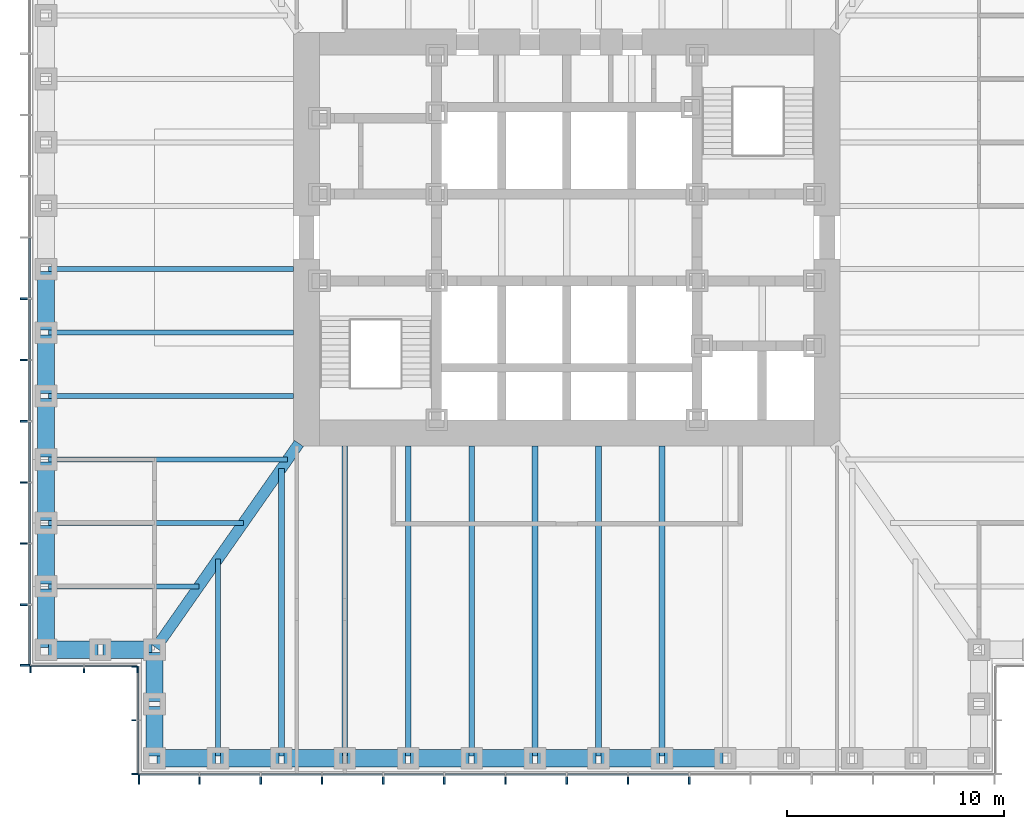
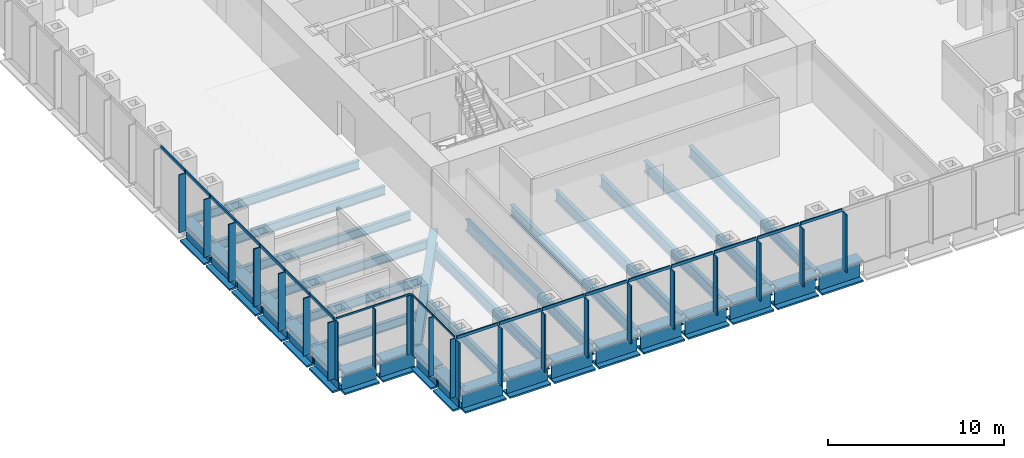
# One storey, part 2 of 16: 43 members, 34 beams, 4 elements without a shape of their own.
"""IFC4 building model written with IfcOpenShell, lengths in metres."""

from ifc_helpers import new_model, si_unit, direction, frame, origin, origin_2d, place, context, subcontext, project, spatial, rectangle, i_section, extrude, material, material_profile, profile_set, type_object, element, aggregate, save


model = new_model("IFC4")

# Units and contexts
model_context = context("Model", 3, precision=1e-05, world=origin(), true_north=direction((0.0, 1.0)))
body_context = subcontext(model_context, "Body", "Model", "MODEL_VIEW")
ifc_project = project(units=[si_unit("LENGTHUNIT", "METRE"), si_unit("AREAUNIT", "SQUARE_METRE"), si_unit("VOLUMEUNIT", "CUBIC_METRE"), si_unit("PLANEANGLEUNIT", "RADIAN"), si_unit("MASSUNIT", "GRAM", prefix="KILO")], contexts=[model_context])

# Site, building, storey
site_placement = place(None, origin())
site = spatial("IfcSite", under=ifc_project, at=site_placement, CompositionType="ELEMENT")
building_placement = place(site_placement, origin())
building = spatial("IfcBuilding", under=site, at=building_placement, Name="Daluyong Arena Tower", CompositionType="ELEMENT")
storey_placement = place(building_placement, frame((0.0, 0.0, 51.699951171875)))
storey = spatial("IfcBuildingStorey", under=building, at=storey_placement, Name="L10", CompositionType="ELEMENT", Elevation=51.699951171875)

# Curtain wall, members
ifc_material_1 = material(Name="Bronze anodised aluminium and glass", Category="aluminium")
curtain_wall_type_1 = type_object("IfcCurtainWallType", Name="Curtain wall CW1", PredefinedType="USERDEFINED", material=ifc_material_1)
curtain_wall_1_placement = place(storey_placement, origin())
curtain_wall_1 = element("IfcCurtainWall", 1, at=curtain_wall_1_placement, inside=storey, type_object=curtain_wall_type_1, Name="curtain wall L10 S", ObjectType="UNITISED CURTAIN WALL", PredefinedType="USERDEFINED")
ifc_material_2 = material(Name="Bronze anodised aluminium fin", Category="aluminium")
ifc_material_profile_1 = material_profile(ifc_material_2, rectangle(XDim=0.449951171875, YDim=0.080078125, at=origin_2d()))
ifc_profile_set_1 = profile_set([ifc_material_profile_1], Name="Bronze anodised aluminium fin")
member_type_1 = type_object("IfcMemberType", Name="CW1 bronze fin 450x80", PredefinedType="MULLION", material=ifc_profile_set_1)
member_1_placement = place(storey_placement, frame((36.2900390625, 55.02490234375, 0.0), z_axis=(0.0, 0.0, 1.0), x_axis=(0.0, 1.0, 0.0)))
member_1 = element("IfcMember", 2, at=member_1_placement, type_object=member_type_1, Name="curtain wall L10 S fin 1", PredefinedType="MULLION", context=body_context, shape_type="SweptSolid", body=[
    extrude(rectangle(XDim=0.449951171875, YDim=0.080078125, at=origin_2d()), origin(), (0.0, 0.0, 1.0), 4.0),
])
member_2_placement = place(storey_placement, frame((39.071533203125, 55.02490234375, 0.0), z_axis=(0.0, 0.0, 1.0), x_axis=(0.0, 1.0, 0.0)))
member_2 = element("IfcMember", 3, at=member_2_placement, type_object=member_type_1, Name="curtain wall L10 S fin 2", PredefinedType="MULLION", context=body_context, shape_type="SweptSolid", body=[
    extrude(rectangle(XDim=0.449951171875, YDim=0.080078125, at=origin_2d()), origin(), (0.0, 0.0, 1.0), 4.0),
])
member_3_placement = place(storey_placement, frame((41.892822265625, 55.02490234375, 0.0), z_axis=(0.0, 0.0, 1.0), x_axis=(0.0, 1.0, 0.0)))
member_3 = element("IfcMember", 4, at=member_3_placement, type_object=member_type_1, Name="curtain wall L10 S fin 3", PredefinedType="MULLION", context=body_context, shape_type="SweptSolid", body=[
    extrude(rectangle(XDim=0.449951171875, YDim=0.080078125, at=origin_2d()), origin(), (0.0, 0.0, 1.0), 4.0),
])
member_4_placement = place(storey_placement, frame((44.71435546875, 55.02490234375, 0.0), z_axis=(0.0, 0.0, 1.0), x_axis=(0.0, 1.0, 0.0)))
member_4 = element("IfcMember", 5, at=member_4_placement, type_object=member_type_1, Name="curtain wall L10 S fin 4", PredefinedType="MULLION", context=body_context, shape_type="SweptSolid", body=[
    extrude(rectangle(XDim=0.449951171875, YDim=0.080078125, at=origin_2d()), origin(), (0.0, 0.0, 1.0), 4.0),
])
member_5_placement = place(storey_placement, frame((47.53564453125, 55.02490234375, 0.0), z_axis=(0.0, 0.0, 1.0), x_axis=(0.0, 1.0, 0.0)))
member_5 = element("IfcMember", 6, at=member_5_placement, type_object=member_type_1, Name="curtain wall L10 S fin 5", PredefinedType="MULLION", context=body_context, shape_type="SweptSolid", body=[
    extrude(rectangle(XDim=0.449951171875, YDim=0.080078125, at=origin_2d()), origin(), (0.0, 0.0, 1.0), 4.0),
])
member_6_placement = place(storey_placement, frame((50.357177734375, 55.02490234375, 0.0), z_axis=(0.0, 0.0, 1.0), x_axis=(0.0, 1.0, 0.0)))
member_6 = element("IfcMember", 7, at=member_6_placement, type_object=member_type_1, Name="curtain wall L10 S fin 6", PredefinedType="MULLION", context=body_context, shape_type="SweptSolid", body=[
    extrude(rectangle(XDim=0.449951171875, YDim=0.080078125, at=origin_2d()), origin(), (0.0, 0.0, 1.0), 4.0),
])
member_7_placement = place(storey_placement, frame((53.178466796875, 55.02490234375, 0.0), z_axis=(0.0, 0.0, 1.0), x_axis=(0.0, 1.0, 0.0)))
member_7 = element("IfcMember", 8, at=member_7_placement, type_object=member_type_1, Name="curtain wall L10 S fin 7", PredefinedType="MULLION", context=body_context, shape_type="SweptSolid", body=[
    extrude(rectangle(XDim=0.449951171875, YDim=0.080078125, at=origin_2d()), origin(), (0.0, 0.0, 1.0), 4.0),
])
member_8_placement = place(storey_placement, frame((56.0, 55.02490234375, 0.0), z_axis=(0.0, 0.0, 1.0), x_axis=(0.0, 1.0, 0.0)))
member_8 = element("IfcMember", 9, at=member_8_placement, type_object=member_type_1, Name="curtain wall L10 S fin 8", PredefinedType="MULLION", context=body_context, shape_type="SweptSolid", body=[
    extrude(rectangle(XDim=0.449951171875, YDim=0.080078125, at=origin_2d()), origin(), (0.0, 0.0, 1.0), 4.0),
])
member_9_placement = place(storey_placement, frame((58.821533203125, 55.02490234375, 0.0), z_axis=(0.0, 0.0, 1.0), x_axis=(0.0, 1.0, 0.0)))
member_9 = element("IfcMember", 10, at=member_9_placement, type_object=member_type_1, Name="curtain wall L10 S fin 9", PredefinedType="MULLION", context=body_context, shape_type="SweptSolid", body=[
    extrude(rectangle(XDim=0.449951171875, YDim=0.080078125, at=origin_2d()), origin(), (0.0, 0.0, 1.0), 4.0),
])
member_10_placement = place(storey_placement, frame((61.642822265625, 55.02490234375, 0.0), z_axis=(0.0, 0.0, 1.0), x_axis=(0.0, 1.0, 0.0)))
member_10 = element("IfcMember", 11, at=member_10_placement, type_object=member_type_1, Name="curtain wall L10 S fin 10", PredefinedType="MULLION", context=body_context, shape_type="SweptSolid", body=[
    extrude(rectangle(XDim=0.449951171875, YDim=0.080078125, at=origin_2d()), origin(), (0.0, 0.0, 1.0), 4.0),
])

curtain_wall_2_placement = place(storey_placement, origin())
curtain_wall_2 = element("IfcCurtainWall", 12, at=curtain_wall_2_placement, inside=storey, type_object=curtain_wall_type_1, Name="curtain wall L10 W", ObjectType="UNITISED CURTAIN WALL", PredefinedType="USERDEFINED")
member_11_placement = place(storey_placement, frame((31.02490234375, 77.178466796875, 0.0), z_axis=(0.0, 0.0, 1.0), x_axis=(1.0, 0.0, 0.0)))
member_11 = element("IfcMember", 13, at=member_11_placement, type_object=member_type_1, Name="curtain wall L10 W fin 9", PredefinedType="MULLION", context=body_context, shape_type="SweptSolid", body=[
    extrude(rectangle(XDim=0.449951171875, YDim=0.080078125, at=origin_2d()), origin(), (0.0, 0.0, 1.0), 4.0),
])
member_12_placement = place(storey_placement, frame((31.02490234375, 74.357177734375, 0.0), z_axis=(0.0, 0.0, 1.0), x_axis=(1.0, 0.0, 0.0)))
member_12 = element("IfcMember", 14, at=member_12_placement, type_object=member_type_1, Name="curtain wall L10 W fin 10", PredefinedType="MULLION", context=body_context, shape_type="SweptSolid", body=[
    extrude(rectangle(XDim=0.449951171875, YDim=0.080078125, at=origin_2d()), origin(), (0.0, 0.0, 1.0), 4.0),
])
member_13_placement = place(storey_placement, frame((31.02490234375, 71.53564453125, 0.0), z_axis=(0.0, 0.0, 1.0), x_axis=(1.0, 0.0, 0.0)))
member_13 = element("IfcMember", 15, at=member_13_placement, type_object=member_type_1, Name="curtain wall L10 W fin 11", PredefinedType="MULLION", context=body_context, shape_type="SweptSolid", body=[
    extrude(rectangle(XDim=0.449951171875, YDim=0.080078125, at=origin_2d()), origin(), (0.0, 0.0, 1.0), 4.0),
])
member_14_placement = place(storey_placement, frame((31.02490234375, 68.71435546875, 0.0), z_axis=(0.0, 0.0, 1.0), x_axis=(1.0, 0.0, 0.0)))
member_14 = element("IfcMember", 16, at=member_14_placement, type_object=member_type_1, Name="curtain wall L10 W fin 12", PredefinedType="MULLION", context=body_context, shape_type="SweptSolid", body=[
    extrude(rectangle(XDim=0.449951171875, YDim=0.080078125, at=origin_2d()), origin(), (0.0, 0.0, 1.0), 4.0),
])
member_15_placement = place(storey_placement, frame((31.02490234375, 65.892822265625, 0.0), z_axis=(0.0, 0.0, 1.0), x_axis=(1.0, 0.0, 0.0)))
member_15 = element("IfcMember", 17, at=member_15_placement, type_object=member_type_1, Name="curtain wall L10 W fin 13", PredefinedType="MULLION", context=body_context, shape_type="SweptSolid", body=[
    extrude(rectangle(XDim=0.449951171875, YDim=0.080078125, at=origin_2d()), origin(), (0.0, 0.0, 1.0), 4.0),
])
member_16_placement = place(storey_placement, frame((31.02490234375, 63.071533203125, 0.0), z_axis=(0.0, 0.0, 1.0), x_axis=(1.0, 0.0, 0.0)))
member_16 = element("IfcMember", 18, at=member_16_placement, type_object=member_type_1, Name="curtain wall L10 W fin 14", PredefinedType="MULLION", context=body_context, shape_type="SweptSolid", body=[
    extrude(rectangle(XDim=0.449951171875, YDim=0.080078125, at=origin_2d()), origin(), (0.0, 0.0, 1.0), 4.0),
])
member_17_placement = place(storey_placement, frame((31.02490234375, 60.2900390625, 0.0), z_axis=(0.0, 0.0, 1.0), x_axis=(1.0, 0.0, 0.0)))
member_17 = element("IfcMember", 19, at=member_17_placement, type_object=member_type_1, Name="curtain wall L10 W fin 15", PredefinedType="MULLION", context=body_context, shape_type="SweptSolid", body=[
    extrude(rectangle(XDim=0.449951171875, YDim=0.080078125, at=origin_2d()), origin(), (0.0, 0.0, 1.0), 4.0),
])

# Member
ifc_material_3 = material(Name="Bronze anodised aluminium", Category="aluminium")
ifc_material_profile_2 = material_profile(ifc_material_3, rectangle(XDim=0.080078125, YDim=0.199951171875, at=origin_2d()))
ifc_profile_set_2 = profile_set([ifc_material_profile_2], Name="Bronze anodised aluminium")
member_type_2 = type_object("IfcMemberType", Name="CW1 stack transom 200x80", PredefinedType="USERDEFINED", material=ifc_profile_set_2)
member_18_placement = place(storey_placement, frame((36.330078125, 55.25, 4.10009765625), z_axis=(1.0, 0.0, 0.0), x_axis=(0.0, 1.0, 0.0)))
member_18 = element("IfcMember", 20, at=member_18_placement, type_object=member_type_2, Name="curtain wall L10 S transom 1", ObjectType="TRANSOM", PredefinedType="USERDEFINED", context=body_context, shape_type="SweptSolid", body=[
    extrude(rectangle(XDim=0.080078125, YDim=0.199951171875, at=origin_2d()), origin(), (0.0, 0.0, 1.0), 2.701416015625),
])

member_19_placement = place(storey_placement, frame((39.111328125, 55.25, 4.10009765625), z_axis=(1.0, 0.0, 0.0), x_axis=(0.0, 1.0, 0.0)))
member_19 = element("IfcMember", 21, at=member_19_placement, type_object=member_type_2, Name="curtain wall L10 S transom 2", ObjectType="TRANSOM", PredefinedType="USERDEFINED", context=body_context, shape_type="SweptSolid", body=[
    extrude(rectangle(XDim=0.080078125, YDim=0.199951171875, at=origin_2d()), origin(), (0.0, 0.0, 1.0), 2.741455078125),
])

member_20_placement = place(storey_placement, frame((41.932861328125, 55.25, 4.10009765625), z_axis=(1.0, 0.0, 0.0), x_axis=(0.0, 1.0, 0.0)))
member_20 = element("IfcMember", 22, at=member_20_placement, type_object=member_type_2, Name="curtain wall L10 S transom 3", ObjectType="TRANSOM", PredefinedType="USERDEFINED", context=body_context, shape_type="SweptSolid", body=[
    extrude(rectangle(XDim=0.080078125, YDim=0.199951171875, at=origin_2d()), origin(), (0.0, 0.0, 1.0), 2.741455078125),
])

member_21_placement = place(storey_placement, frame((44.75439453125, 55.25, 4.10009765625), z_axis=(1.0, 0.0, 0.0), x_axis=(0.0, 1.0, 0.0)))
member_21 = element("IfcMember", 23, at=member_21_placement, type_object=member_type_2, Name="curtain wall L10 S transom 4", ObjectType="TRANSOM", PredefinedType="USERDEFINED", context=body_context, shape_type="SweptSolid", body=[
    extrude(rectangle(XDim=0.080078125, YDim=0.199951171875, at=origin_2d()), origin(), (0.0, 0.0, 1.0), 2.7412109375),
])

member_22_placement = place(storey_placement, frame((47.57568359375, 55.25, 4.10009765625), z_axis=(1.0, 0.0, 0.0), x_axis=(0.0, 1.0, 0.0)))
member_22 = element("IfcMember", 24, at=member_22_placement, type_object=member_type_2, Name="curtain wall L10 S transom 5", ObjectType="TRANSOM", PredefinedType="USERDEFINED", context=body_context, shape_type="SweptSolid", body=[
    extrude(rectangle(XDim=0.080078125, YDim=0.199951171875, at=origin_2d()), origin(), (0.0, 0.0, 1.0), 2.741455078125),
])

member_23_placement = place(storey_placement, frame((50.397216796875, 55.25, 4.10009765625), z_axis=(1.0, 0.0, 0.0), x_axis=(0.0, 1.0, 0.0)))
member_23 = element("IfcMember", 25, at=member_23_placement, type_object=member_type_2, Name="curtain wall L10 S transom 6", ObjectType="TRANSOM", PredefinedType="USERDEFINED", context=body_context, shape_type="SweptSolid", body=[
    extrude(rectangle(XDim=0.080078125, YDim=0.199951171875, at=origin_2d()), origin(), (0.0, 0.0, 1.0), 2.741455078125),
])

member_24_placement = place(storey_placement, frame((53.218505859375, 55.25, 4.10009765625), z_axis=(1.0, 0.0, 0.0), x_axis=(0.0, 1.0, 0.0)))
member_24 = element("IfcMember", 26, at=member_24_placement, type_object=member_type_2, Name="curtain wall L10 S transom 7", ObjectType="TRANSOM", PredefinedType="USERDEFINED", context=body_context, shape_type="SweptSolid", body=[
    extrude(rectangle(XDim=0.080078125, YDim=0.199951171875, at=origin_2d()), origin(), (0.0, 0.0, 1.0), 2.741455078125),
])

member_25_placement = place(storey_placement, frame((56.0400390625, 55.25, 4.10009765625), z_axis=(1.0, 0.0, 0.0), x_axis=(0.0, 1.0, 0.0)))
member_25 = element("IfcMember", 27, at=member_25_placement, type_object=member_type_2, Name="curtain wall L10 S transom 8", ObjectType="TRANSOM", PredefinedType="USERDEFINED", context=body_context, shape_type="SweptSolid", body=[
    extrude(rectangle(XDim=0.080078125, YDim=0.199951171875, at=origin_2d()), origin(), (0.0, 0.0, 1.0), 2.741455078125),
])

member_26_placement = place(storey_placement, frame((58.861328125, 55.25, 4.10009765625), z_axis=(1.0, 0.0, 0.0), x_axis=(0.0, 1.0, 0.0)))
member_26 = element("IfcMember", 28, at=member_26_placement, type_object=member_type_2, Name="curtain wall L10 S transom 9", ObjectType="TRANSOM", PredefinedType="USERDEFINED", context=body_context, shape_type="SweptSolid", body=[
    extrude(rectangle(XDim=0.080078125, YDim=0.199951171875, at=origin_2d()), origin(), (0.0, 0.0, 1.0), 2.741455078125),
])

aggregate(curtain_wall_1, [member_1, member_2, member_3, member_4, member_5, member_6, member_7, member_8, member_9, member_10, member_18, member_19, member_20, member_21, member_22, member_23, member_24, member_25, member_26])

member_27_placement = place(storey_placement, frame((31.25, 79.9599609375, 4.10009765625), z_axis=(0.0, -1.0, 0.0), x_axis=(1.0, 0.0, 0.0)))
member_27 = element("IfcMember", 29, at=member_27_placement, type_object=member_type_2, Name="curtain wall L10 W transom 8", ObjectType="TRANSOM", PredefinedType="USERDEFINED", context=body_context, shape_type="SweptSolid", body=[
    extrude(rectangle(XDim=0.080078125, YDim=0.199951171875, at=origin_2d()), origin(), (0.0, 0.0, 1.0), 2.741455078125),
])

member_28_placement = place(storey_placement, frame((31.25, 77.138671875, 4.10009765625), z_axis=(0.0, -1.0, 0.0), x_axis=(1.0, 0.0, 0.0)))
member_28 = element("IfcMember", 30, at=member_28_placement, type_object=member_type_2, Name="curtain wall L10 W transom 9", ObjectType="TRANSOM", PredefinedType="USERDEFINED", context=body_context, shape_type="SweptSolid", body=[
    extrude(rectangle(XDim=0.080078125, YDim=0.199951171875, at=origin_2d()), origin(), (0.0, 0.0, 1.0), 2.741455078125),
])

member_29_placement = place(storey_placement, frame((31.25, 74.317138671875, 4.10009765625), z_axis=(0.0, -1.0, 0.0), x_axis=(1.0, 0.0, 0.0)))
member_29 = element("IfcMember", 31, at=member_29_placement, type_object=member_type_2, Name="curtain wall L10 W transom 10", ObjectType="TRANSOM", PredefinedType="USERDEFINED", context=body_context, shape_type="SweptSolid", body=[
    extrude(rectangle(XDim=0.080078125, YDim=0.199951171875, at=origin_2d()), origin(), (0.0, 0.0, 1.0), 2.741455078125),
])

member_30_placement = place(storey_placement, frame((31.25, 71.49560546875, 4.10009765625), z_axis=(0.0, -1.0, 0.0), x_axis=(1.0, 0.0, 0.0)))
member_30 = element("IfcMember", 32, at=member_30_placement, type_object=member_type_2, Name="curtain wall L10 W transom 11", ObjectType="TRANSOM", PredefinedType="USERDEFINED", context=body_context, shape_type="SweptSolid", body=[
    extrude(rectangle(XDim=0.080078125, YDim=0.199951171875, at=origin_2d()), origin(), (0.0, 0.0, 1.0), 2.7412109375),
])

member_31_placement = place(storey_placement, frame((31.25, 68.67431640625, 4.10009765625), z_axis=(0.0, -1.0, 0.0), x_axis=(1.0, 0.0, 0.0)))
member_31 = element("IfcMember", 33, at=member_31_placement, type_object=member_type_2, Name="curtain wall L10 W transom 12", ObjectType="TRANSOM", PredefinedType="USERDEFINED", context=body_context, shape_type="SweptSolid", body=[
    extrude(rectangle(XDim=0.080078125, YDim=0.199951171875, at=origin_2d()), origin(), (0.0, 0.0, 1.0), 2.741455078125),
])

member_32_placement = place(storey_placement, frame((31.25, 65.852783203125, 4.10009765625), z_axis=(0.0, -1.0, 0.0), x_axis=(1.0, 0.0, 0.0)))
member_32 = element("IfcMember", 34, at=member_32_placement, type_object=member_type_2, Name="curtain wall L10 W transom 13", ObjectType="TRANSOM", PredefinedType="USERDEFINED", context=body_context, shape_type="SweptSolid", body=[
    extrude(rectangle(XDim=0.080078125, YDim=0.199951171875, at=origin_2d()), origin(), (0.0, 0.0, 1.0), 2.741455078125),
])

member_33_placement = place(storey_placement, frame((31.25, 63.031494140625, 4.10009765625), z_axis=(0.0, -1.0, 0.0), x_axis=(1.0, 0.0, 0.0)))
member_33 = element("IfcMember", 35, at=member_33_placement, type_object=member_type_2, Name="curtain wall L10 W transom 14", ObjectType="TRANSOM", PredefinedType="USERDEFINED", context=body_context, shape_type="SweptSolid", body=[
    extrude(rectangle(XDim=0.080078125, YDim=0.199951171875, at=origin_2d()), origin(), (0.0, 0.0, 1.0), 2.701416015625),
])

aggregate(curtain_wall_2, [member_11, member_12, member_13, member_14, member_15, member_16, member_17, member_27, member_28, member_29, member_30, member_31, member_32, member_33])

# Curtain wall, members
ifc_material_4 = material(Name="Bronze anodised aluminium and glass", Category="aluminium")
curtain_wall_type_2 = type_object("IfcCurtainWallType", Name="Curtain wall CW7", PredefinedType="USERDEFINED", material=ifc_material_4)
curtain_wall_3_placement = place(storey_placement, origin())
curtain_wall_3 = element("IfcCurtainWall", 36, at=curtain_wall_3_placement, inside=storey, type_object=curtain_wall_type_2, Name="curtain wall L10 SW-S", ObjectType="UNITISED CURTAIN WALL", PredefinedType="USERDEFINED")
ifc_material_5 = material(Name="Bronze anodised aluminium fin", Category="aluminium")
ifc_material_profile_3 = material_profile(ifc_material_5, rectangle(XDim=0.300048828125, YDim=0.06005859375, at=origin_2d()))
ifc_profile_set_3 = profile_set([ifc_material_profile_3], Name="Bronze anodised aluminium fin")
member_type_3 = type_object("IfcMemberType", Name="CW7 bronze fin 300x60", PredefinedType="MULLION", material=ifc_profile_set_3)
member_34_placement = place(storey_placement, frame((31.280029296875, 60.10009765625, 0.0), z_axis=(0.0, 0.0, 1.0), x_axis=(0.0, 1.0, 0.0)))
member_34 = element("IfcMember", 37, at=member_34_placement, type_object=member_type_3, Name="curtain wall L10 SW-S fin 1", PredefinedType="MULLION", context=body_context, shape_type="SweptSolid", body=[
    extrude(rectangle(XDim=0.300048828125, YDim=0.06005859375, at=origin_2d()), origin(), (0.0, 0.0, 1.0), 4.080078125),
])
member_35_placement = place(storey_placement, frame((33.75, 60.10009765625, 0.0), z_axis=(0.0, 0.0, 1.0), x_axis=(0.0, 1.0, 0.0)))
member_35 = element("IfcMember", 38, at=member_35_placement, type_object=member_type_3, Name="curtain wall L10 SW-S fin 2", PredefinedType="MULLION", context=body_context, shape_type="SweptSolid", body=[
    extrude(rectangle(XDim=0.300048828125, YDim=0.06005859375, at=origin_2d()), origin(), (0.0, 0.0, 1.0), 4.080078125),
])
member_36_placement = place(storey_placement, frame((36.219970703125, 60.10009765625, 0.0), z_axis=(0.0, 0.0, 1.0), x_axis=(0.0, 1.0, 0.0)))
member_36 = element("IfcMember", 39, at=member_36_placement, type_object=member_type_3, Name="curtain wall L10 SW-S fin 3", PredefinedType="MULLION", context=body_context, shape_type="SweptSolid", body=[
    extrude(rectangle(XDim=0.300048828125, YDim=0.06005859375, at=origin_2d()), origin(), (0.0, 0.0, 1.0), 4.080078125),
])

curtain_wall_4_placement = place(storey_placement, origin())
curtain_wall_4 = element("IfcCurtainWall", 40, at=curtain_wall_4_placement, inside=storey, type_object=curtain_wall_type_2, Name="curtain wall L10 SW-W", ObjectType="UNITISED CURTAIN WALL", PredefinedType="USERDEFINED")
member_37_placement = place(storey_placement, frame((36.10009765625, 60.219970703125, 0.0), z_axis=(0.0, 0.0, 1.0), x_axis=(1.0, 0.0, 0.0)))
member_37 = element("IfcMember", 41, at=member_37_placement, type_object=member_type_3, Name="curtain wall L10 SW-W fin 1", PredefinedType="MULLION", context=body_context, shape_type="SweptSolid", body=[
    extrude(rectangle(XDim=0.300048828125, YDim=0.06005859375, at=origin_2d()), origin(), (0.0, 0.0, 1.0), 4.080078125),
])
member_38_placement = place(storey_placement, frame((36.10009765625, 57.75, 0.0), z_axis=(0.0, 0.0, 1.0), x_axis=(1.0, 0.0, 0.0)))
member_38 = element("IfcMember", 42, at=member_38_placement, type_object=member_type_3, Name="curtain wall L10 SW-W fin 2", PredefinedType="MULLION", context=body_context, shape_type="SweptSolid", body=[
    extrude(rectangle(XDim=0.300048828125, YDim=0.06005859375, at=origin_2d()), origin(), (0.0, 0.0, 1.0), 4.080078125),
])
member_39_placement = place(storey_placement, frame((36.10009765625, 55.280029296875, 0.0), z_axis=(0.0, 0.0, 1.0), x_axis=(1.0, 0.0, 0.0)))
member_39 = element("IfcMember", 43, at=member_39_placement, type_object=member_type_3, Name="curtain wall L10 SW-W fin 3", PredefinedType="MULLION", context=body_context, shape_type="SweptSolid", body=[
    extrude(rectangle(XDim=0.300048828125, YDim=0.06005859375, at=origin_2d()), origin(), (0.0, 0.0, 1.0), 4.080078125),
])

# Member
ifc_material_6 = material(Name="Bronze anodised aluminium", Category="aluminium")
ifc_material_profile_4 = material_profile(ifc_material_6, rectangle(XDim=0.06005859375, YDim=0.1201171875, at=origin_2d()))
ifc_profile_set_4 = profile_set([ifc_material_profile_4], Name="Bronze anodised aluminium")
member_type_4 = type_object("IfcMemberType", Name="CW7 stack transom 120x60", PredefinedType="USERDEFINED", material=ifc_profile_set_4)
member_40_placement = place(storey_placement, frame((31.31005859375, 60.25, 4.14013671875), z_axis=(1.0, 0.0, 0.0), x_axis=(0.0, 1.0, 0.0)))
member_40 = element("IfcMember", 44, at=member_40_placement, type_object=member_type_4, Name="curtain wall L10 SW-S transom 1", ObjectType="TRANSOM", PredefinedType="USERDEFINED", context=body_context, shape_type="SweptSolid", body=[
    extrude(rectangle(XDim=0.06005859375, YDim=0.1201171875, at=origin_2d()), origin(), (0.0, 0.0, 1.0), 2.409912109375),
])

member_41_placement = place(storey_placement, frame((33.780029296875, 60.25, 4.14013671875), z_axis=(1.0, 0.0, 0.0), x_axis=(0.0, 1.0, 0.0)))
member_41 = element("IfcMember", 45, at=member_41_placement, type_object=member_type_4, Name="curtain wall L10 SW-S transom 2", ObjectType="TRANSOM", PredefinedType="USERDEFINED", context=body_context, shape_type="SweptSolid", body=[
    extrude(rectangle(XDim=0.06005859375, YDim=0.1201171875, at=origin_2d()), origin(), (0.0, 0.0, 1.0), 2.409912109375),
])

aggregate(curtain_wall_3, [member_34, member_35, member_36, member_40, member_41])

member_42_placement = place(storey_placement, frame((36.25, 60.18994140625, 4.14013671875), z_axis=(0.0, -1.0, 0.0), x_axis=(1.0, 0.0, 0.0)))
member_42 = element("IfcMember", 46, at=member_42_placement, type_object=member_type_4, Name="curtain wall L10 SW-W transom 1", ObjectType="TRANSOM", PredefinedType="USERDEFINED", context=body_context, shape_type="SweptSolid", body=[
    extrude(rectangle(XDim=0.06005859375, YDim=0.1201171875, at=origin_2d()), origin(), (0.0, 0.0, 1.0), 2.409912109375),
])

member_43_placement = place(storey_placement, frame((36.25, 57.719970703125, 4.14013671875), z_axis=(0.0, -1.0, 0.0), x_axis=(1.0, 0.0, 0.0)))
member_43 = element("IfcMember", 47, at=member_43_placement, type_object=member_type_4, Name="curtain wall L10 SW-W transom 2", ObjectType="TRANSOM", PredefinedType="USERDEFINED", context=body_context, shape_type="SweptSolid", body=[
    extrude(rectangle(XDim=0.06005859375, YDim=0.1201171875, at=origin_2d()), origin(), (0.0, 0.0, 1.0), 2.409912109375),
])

aggregate(curtain_wall_4, [member_37, member_38, member_39, member_42, member_43])

# Beams
ifc_material_7 = material(Name="Steel ASTM A572 Grade 50", Category="steel")
ifc_material_profile_5 = material_profile(ifc_material_7, i_section(OverallWidth=0.5, OverallDepth=1.0, WebThickness=0.03, FlangeThickness=0.06, at=origin_2d()))
ifc_profile_set_5 = profile_set([ifc_material_profile_5], Name="Steel ASTM A572 Grade 50")
beam_type_1 = type_object("IfcBeamType", Name="Corner girder TB1000X500", PredefinedType="BEAM", material=ifc_profile_set_5)
beam_1_placement = place(storey_placement, frame((37.06591796875, 61.09423828125, -0.659912109375), z_axis=(0.573466621875, 0.819228926244, 0.0), x_axis=(-0.819228926244, 0.573466621875, 0.0)))
element("IfcBeam", 48, at=beam_1_placement, inside=storey, type_object=beam_type_1, Name="corner girder DG2", PredefinedType="BEAM", context=body_context, shape_type="SweptSolid", body=[
    extrude(i_section(OverallWidth=0.5, OverallDepth=1.0, WebThickness=0.03, FlangeThickness=0.06, at=origin_2d()), origin(), (0.0, 0.0, 1.0), 11.49169921875),
])
ifc_material_8 = material(Name="Steel ASTM A992 Grade 50", Category="steel")
ifc_material_profile_6 = material_profile(ifc_material_8, i_section(OverallWidth=0.22900390625, OverallDepth=0.612060546875, WebThickness=0.011962890625, FlangeThickness=0.01953125, at=origin_2d()))
ifc_profile_set_6 = profile_set([ifc_material_profile_6], Name="Steel ASTM A992 Grade 50")
beam_type_2 = type_object("IfcBeamType", Name="Floor beam W24X84", PredefinedType="BEAM", material=ifc_profile_set_6)
beam_2_placement = place(storey_placement, frame((39.923095703125, 56.114990234375, -0.466064453125), z_axis=(0.0, 1.0, 0.0), x_axis=(-1.0, 0.0, 0.0)))
element("IfcBeam", 49, at=beam_2_placement, inside=storey, type_object=beam_type_2, Name="floor beam FB3", PredefinedType="BEAM", context=body_context, shape_type="SweptSolid", body=[
    extrude(i_section(OverallWidth=0.22900390625, OverallDepth=0.612060546875, WebThickness=0.011962890625, FlangeThickness=0.01953125, at=origin_2d()), origin(), (0.0, 0.0, 1.0), 9.060791015625),
])
for number, where, z_axis, x_axis, name in (
    (50, (32.114990234375, 78.53857421875, -0.466064453125), (1.0, 0.0, 0.0), (0.0, 1.0, 0.0), "floor beam FB3"),
    (51, (32.114990234375, 75.615478515625, -0.466064453125), (1.0, 0.0, 0.0), (0.0, 1.0, 0.0), "floor beam FB3"),
    (52, (32.114990234375, 72.6923828125, -0.466064453125), (1.0, 0.0, 0.0), (0.0, 1.0, 0.0), "floor beam FB3"),
):
    element("IfcBeam", number, at=place(storey_placement, frame(where, z_axis=z_axis, x_axis=x_axis)), inside=storey, type_object=beam_type_2, Name=name, PredefinedType="BEAM", context=body_context, shape_type="SweptSolid", body=[
        extrude(i_section(OverallWidth=0.22900390625, OverallDepth=0.612060546875, WebThickness=0.011962890625, FlangeThickness=0.01953125, at=origin_2d()), origin(), (0.0, 0.0, 1.0), 11.284912109375),
    ])
beam_3_placement = place(storey_placement, frame((32.114990234375, 69.769287109375, -0.466064453125), z_axis=(1.0, 0.0, 0.0), x_axis=(0.0, 1.0, 0.0)))
element("IfcBeam", 53, at=beam_3_placement, inside=storey, type_object=beam_type_2, Name="floor beam FB3", PredefinedType="BEAM", context=body_context, shape_type="SweptSolid", body=[
    extrude(i_section(OverallWidth=0.22900390625, OverallDepth=0.612060546875, WebThickness=0.011962890625, FlangeThickness=0.01953125, at=origin_2d()), origin(), (0.0, 0.0, 1.0), 11.0234375),
])
beam_4_placement = place(storey_placement, frame((32.114990234375, 66.84619140625, -0.466064453125), z_axis=(1.0, 0.0, 0.0), x_axis=(0.0, 1.0, 0.0)))
element("IfcBeam", 54, at=beam_4_placement, inside=storey, type_object=beam_type_2, Name="floor beam FB3", PredefinedType="BEAM", context=body_context, shape_type="SweptSolid", body=[
    extrude(i_section(OverallWidth=0.22900390625, OverallDepth=0.612060546875, WebThickness=0.011962890625, FlangeThickness=0.01953125, at=origin_2d()), origin(), (0.0, 0.0, 1.0), 8.977294921875),
])
beam_5_placement = place(storey_placement, frame((32.114990234375, 63.923095703125, -0.466064453125), z_axis=(1.0, 0.0, 0.0), x_axis=(0.0, 1.0, 0.0)))
element("IfcBeam", 55, at=beam_5_placement, inside=storey, type_object=beam_type_2, Name="floor beam FB3", PredefinedType="BEAM", context=body_context, shape_type="SweptSolid", body=[
    extrude(i_section(OverallWidth=0.22900390625, OverallDepth=0.612060546875, WebThickness=0.011962890625, FlangeThickness=0.01953125, at=origin_2d()), origin(), (0.0, 0.0, 1.0), 6.93115234375),
])
ifc_material_9 = material(Name="Steel ASTM A992 Grade 50", Category="steel")
ifc_material_profile_7 = material_profile(ifc_material_9, i_section(OverallWidth=0.2666015625, OverallDepth=0.761962890625, WebThickness=0.014404296875, FlangeThickness=0.021484375, at=origin_2d()))
ifc_profile_set_7 = profile_set([ifc_material_profile_7], Name="Steel ASTM A992 Grade 50")
beam_type_3 = type_object("IfcBeamType", Name="Floor beam W30X116", PredefinedType="BEAM", material=ifc_profile_set_7)
beam_6_placement = place(storey_placement, frame((42.84619140625, 56.114990234375, -0.541015625), z_axis=(0.0, 1.0, 0.0), x_axis=(-1.0, 0.0, 0.0)))
element("IfcBeam", 56, at=beam_6_placement, inside=storey, type_object=beam_type_3, Name="floor beam FB4", PredefinedType="BEAM", context=body_context, shape_type="SweptSolid", body=[
    extrude(i_section(OverallWidth=0.2666015625, OverallDepth=0.761962890625, WebThickness=0.014404296875, FlangeThickness=0.021484375, at=origin_2d()), origin(), (0.0, 0.0, 1.0), 13.236572265625),
])
for number, where, z_axis, x_axis, name in (
    (57, (45.769287109375, 56.114990234375, -0.541015625), (0.0, 1.0, 0.0), (-1.0, 0.0, 0.0), "floor beam FB4"),
    (58, (48.6923828125, 56.114990234375, -0.541015625), (0.0, 1.0, 0.0), (-1.0, 0.0, 0.0), "floor beam FB4"),
    (59, (51.615478515625, 56.114990234375, -0.541015625), (0.0, 1.0, 0.0), (-1.0, 0.0, 0.0), "floor beam FB4"),
    (60, (54.53857421875, 56.114990234375, -0.541015625), (0.0, 1.0, 0.0), (-1.0, 0.0, 0.0), "floor beam FB4"),
    (61, (57.46142578125, 56.114990234375, -0.541015625), (0.0, 1.0, 0.0), (-1.0, 0.0, 0.0), "floor beam FB4"),
    (62, (60.384521484375, 56.114990234375, -0.541015625), (0.0, 1.0, 0.0), (-1.0, 0.0, 0.0), "floor beam FB4"),
):
    element("IfcBeam", number, at=place(storey_placement, frame(where, z_axis=z_axis, x_axis=x_axis)), inside=storey, type_object=beam_type_3, Name=name, PredefinedType="BEAM", context=body_context, shape_type="SweptSolid", body=[
        extrude(i_section(OverallWidth=0.2666015625, OverallDepth=0.761962890625, WebThickness=0.014404296875, FlangeThickness=0.021484375, at=origin_2d()), origin(), (0.0, 0.0, 1.0), 14.284912109375),
    ])
ifc_material_10 = material(Name="Steel ASTM A588 Grade 50", Category="steel")
ifc_material_profile_8 = material_profile(ifc_material_10, i_section(OverallWidth=0.800048828125, OverallDepth=1.5, WebThickness=0.05, FlangeThickness=0.12, at=origin_2d()))
ifc_profile_set_8 = profile_set([ifc_material_profile_8], Name="Steel ASTM A588 Grade 50")
beam_type_4 = type_object("IfcBeamType", Name="Spandrel Z1 PG1500X800", PredefinedType="SPANDREL", material=ifc_profile_set_8)
for number, where, z_axis, x_axis, name in (
    (63, (37.114990234375, 56.0, -0.909912109375), (1.0, 0.0, 0.0), (0.0, 1.0, 0.0), "spandrel z1 SB3"),
    (64, (40.0380859375, 56.0, -0.909912109375), (1.0, 0.0, 0.0), (0.0, 1.0, 0.0), "spandrel z1 SB3"),
    (65, (42.961181640625, 56.0, -0.909912109375), (1.0, 0.0, 0.0), (0.0, 1.0, 0.0), "spandrel z1 SB3"),
    (66, (45.88427734375, 56.0, -0.909912109375), (1.0, 0.0, 0.0), (0.0, 1.0, 0.0), "spandrel z1 SB3"),
    (67, (48.807373046875, 56.0, -0.909912109375), (1.0, 0.0, 0.0), (0.0, 1.0, 0.0), "spandrel z1 SB3"),
    (68, (51.73046875, 56.0, -0.909912109375), (1.0, 0.0, 0.0), (0.0, 1.0, 0.0), "spandrel z1 SB3"),
):
    element("IfcBeam", number, at=place(storey_placement, frame(where, z_axis=z_axis, x_axis=x_axis)), inside=storey, type_object=beam_type_4, Name=name, PredefinedType="SPANDREL", context=body_context, shape_type="SweptSolid", body=[
        extrude(i_section(OverallWidth=0.800048828125, OverallDepth=1.5, WebThickness=0.05, FlangeThickness=0.12, at=origin_2d()), origin(), (0.0, 0.0, 1.0), 2.693115234375),
    ])
beam_7_placement = place(storey_placement, frame((54.653564453125, 56.0, -0.909912109375), z_axis=(1.0, 0.0, 0.0), x_axis=(0.0, 1.0, 0.0)))
element("IfcBeam", 69, at=beam_7_placement, inside=storey, type_object=beam_type_4, Name="spandrel z1 SB3", PredefinedType="SPANDREL", context=body_context, shape_type="SweptSolid", body=[
    extrude(i_section(OverallWidth=0.800048828125, OverallDepth=1.5, WebThickness=0.05, FlangeThickness=0.12, at=origin_2d()), origin(), (0.0, 0.0, 1.0), 2.69287109375),
])
for number, where, z_axis, x_axis, name in (
    (70, (57.576416015625, 56.0, -0.909912109375), (1.0, 0.0, 0.0), (0.0, 1.0, 0.0), "spandrel z1 SB3"),
    (71, (60.49951171875, 56.0, -0.909912109375), (1.0, 0.0, 0.0), (0.0, 1.0, 0.0), "spandrel z1 SB3"),
    (72, (32.0, 78.423583984375, -0.909912109375), (0.0, -1.0, 0.0), (1.0, 0.0, 0.0), "spandrel z1 SB3"),
    (73, (32.0, 75.50048828125, -0.909912109375), (0.0, -1.0, 0.0), (1.0, 0.0, 0.0), "spandrel z1 SB3"),
    (74, (32.0, 72.577392578125, -0.909912109375), (0.0, -1.0, 0.0), (1.0, 0.0, 0.0), "spandrel z1 SB3"),
    (75, (32.0, 69.654296875, -0.909912109375), (0.0, -1.0, 0.0), (1.0, 0.0, 0.0), "spandrel z1 SB3"),
    (76, (32.0, 66.731201171875, -0.909912109375), (0.0, -1.0, 0.0), (1.0, 0.0, 0.0), "spandrel z1 SB3"),
    (77, (32.0, 63.80810546875, -0.909912109375), (0.0, -1.0, 0.0), (1.0, 0.0, 0.0), "spandrel z1 SB3"),
):
    element("IfcBeam", number, at=place(storey_placement, frame(where, z_axis=z_axis, x_axis=x_axis)), inside=storey, type_object=beam_type_4, Name=name, PredefinedType="SPANDREL", context=body_context, shape_type="SweptSolid", body=[
        extrude(i_section(OverallWidth=0.800048828125, OverallDepth=1.5, WebThickness=0.05, FlangeThickness=0.12, at=origin_2d()), origin(), (0.0, 0.0, 1.0), 2.693115234375),
    ])
for number, where, z_axis, x_axis, name in (
    (78, (32.114990234375, 61.0, -0.909912109375), (1.0, 0.0, 0.0), (0.0, 1.0, 0.0), "spandrel z1 SB3"),
    (79, (34.614990234375, 61.0, -0.909912109375), (1.0, 0.0, 0.0), (0.0, 1.0, 0.0), "spandrel z1 SB3"),
    (80, (37.0, 60.885009765625, -0.909912109375), (0.0, -1.0, 0.0), (1.0, 0.0, 0.0), "spandrel z1 SB3"),
    (81, (37.0, 58.385009765625, -0.909912109375), (0.0, -1.0, 0.0), (1.0, 0.0, 0.0), "spandrel z1 SB3"),
):
    element("IfcBeam", number, at=place(storey_placement, frame(where, z_axis=z_axis, x_axis=x_axis)), inside=storey, type_object=beam_type_4, Name=name, PredefinedType="SPANDREL", context=body_context, shape_type="SweptSolid", body=[
        extrude(i_section(OverallWidth=0.800048828125, OverallDepth=1.5, WebThickness=0.05, FlangeThickness=0.12, at=origin_2d()), origin(), (0.0, 0.0, 1.0), 2.27001953125),
    ])

save(model, "model.ifc")
